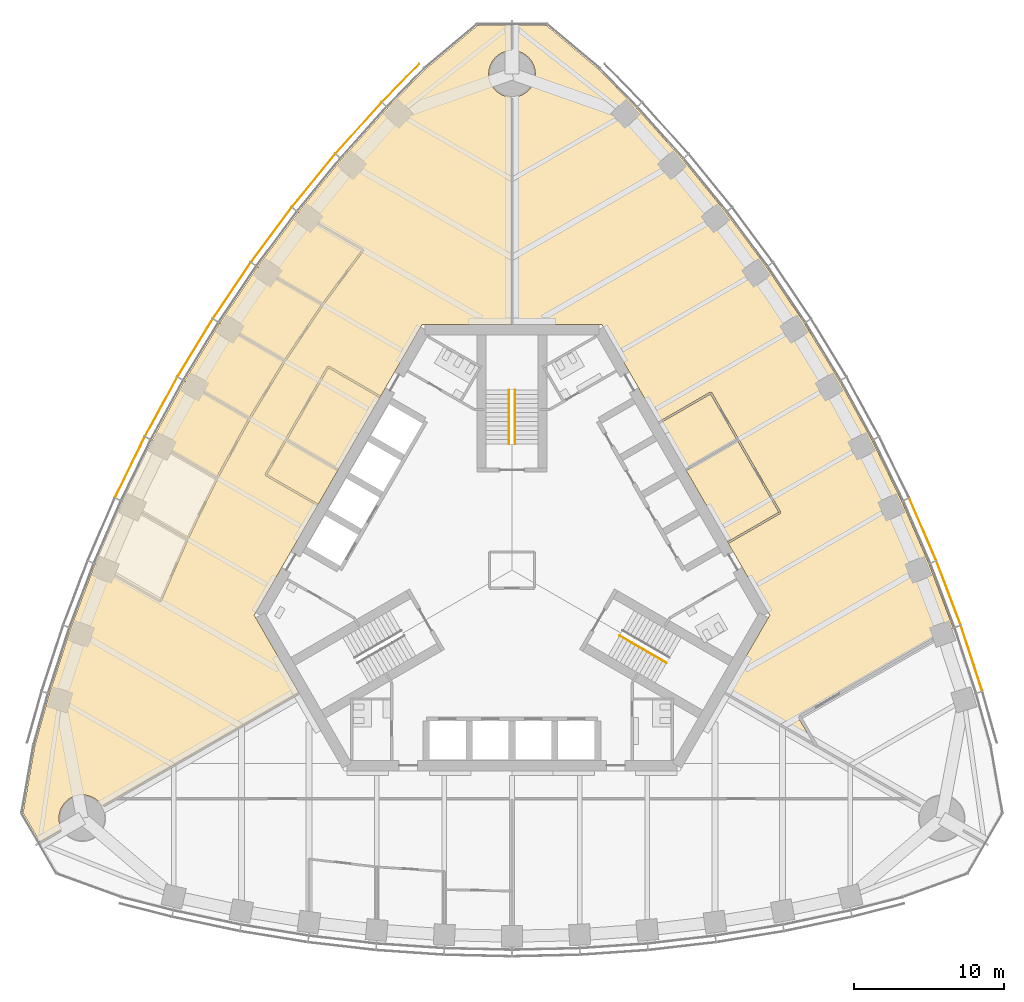
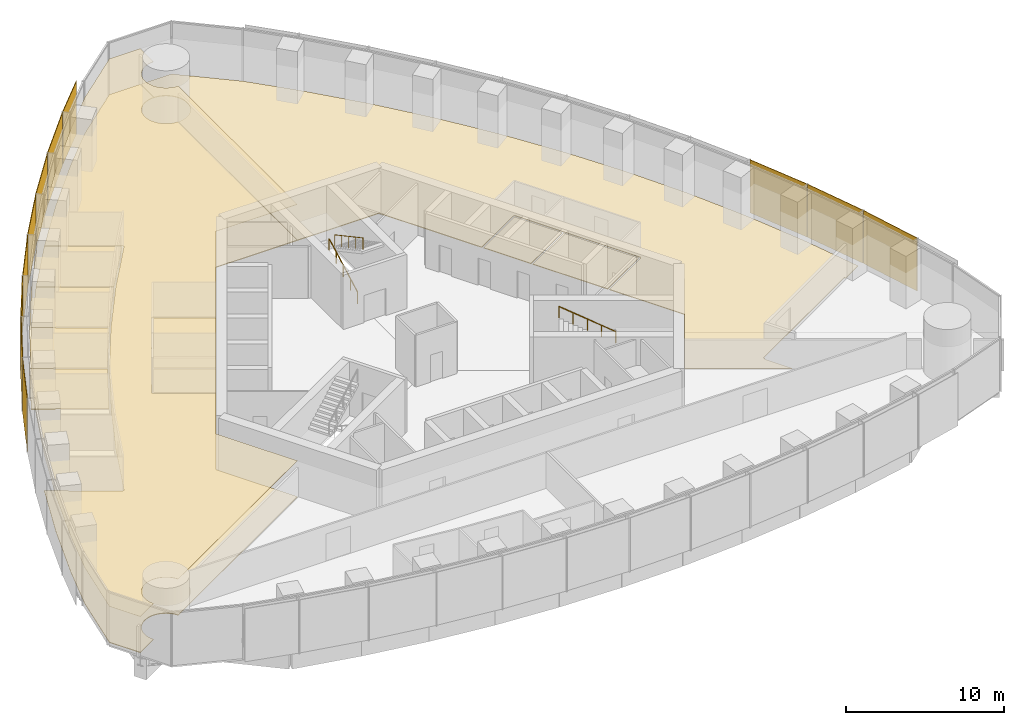
# One storey, part 16 of 19: 11 coverings, 11 shading devices, 3 railings.
"""IFC4 building model written with IfcOpenShell, lengths in metres."""

import ifcopenshell
import ifcopenshell.guid

model = None  # the IFC model being written
_history = None  # IfcOwnerHistory: only IFC2X3 demands one
_inside = {}  # id of a spatial element -> (the spatial element, [elements in it])
_under = {}  # id of a project, library or spatial element -> (it, [spatial elements below it])
_declared = {}  # id of a project -> (the project, [libraries it declares])
_typed = {}  # id of a type object -> (the type object, [elements of that type])
_made_of = {}  # id of a material, layer set ... -> (it, [elements and type objects made of it])


def new_model(schema):
    """Start an empty IFC model of exactly this schema.

    Asked for "IFC4X3", IfcOpenShell would pick the latest addendum, in which some entities
    have other attributes; the version numbers below select the first issue.
    IFC2X3 requires an IfcOwnerHistory on every rooted entity: one is made here for all.
    """
    global model, _history
    if schema == "IFC4X3":
        model = ifcopenshell.file(schema_version=(4, 3, 0, 0))
    else:
        model = ifcopenshell.file(schema=schema)
    _inside.clear()
    _under.clear()
    _declared.clear()
    _typed.clear()
    _made_of.clear()
    _history = None
    if model.schema == "IFC2X3":
        org = make("IfcOrganization", Name="unknown")
        user = make(
            "IfcPersonAndOrganization",
            ThePerson=make("IfcPerson", FamilyName="unknown"),
            TheOrganization=org,
        )
        app = make(
            "IfcApplication",
            ApplicationDeveloper=org,
            Version="unknown",
            ApplicationFullName="unknown",
            ApplicationIdentifier="unknown",
        )
        _history = make(
            "IfcOwnerHistory",
            OwningUser=user,
            OwningApplication=app,
            ChangeAction="ADDED",
            CreationDate=0,
        )
    return model


def make(cls, **values):
    """One entity of the class cls with the attributes given. An attribute that is None is left unset."""
    return model.create_entity(
        cls, **{name: value for name, value in values.items() if value is not None}
    )


def rooted(cls, **values):
    """An entity with a GlobalId (a new one), such as an element, a storey or a relation."""
    return make(cls, GlobalId=ifcopenshell.guid.new(), OwnerHistory=_history, **values)


def si_unit(unit_type, name, prefix=None):
    """IfcSIUnit, for example si_unit("LENGTHUNIT", "METRE", prefix="MILLI")."""
    return make("IfcSIUnit", UnitType=unit_type, Prefix=prefix, Name=name)


def assignment(units):
    """IfcUnitAssignment: the units of a project."""
    return None if units is None else make("IfcUnitAssignment", Units=units)


def point(xyz):
    """IfcCartesianPoint."""
    return None if xyz is None else make("IfcCartesianPoint", Coordinates=xyz)


def direction(xyz):
    """IfcDirection."""
    return None if xyz is None else make("IfcDirection", DirectionRatios=xyz)


def frame(location, z_axis=None, x_axis=None):
    """IfcAxis2Placement3D, a coordinate frame: its origin and axes. An axis left out is left unset."""
    return make(
        "IfcAxis2Placement3D",
        Location=point(location),
        Axis=direction(z_axis),
        RefDirection=direction(x_axis),
    )


def frame_2d(location, x_axis=None):
    """IfcAxis2Placement2D, a coordinate frame in the plane: its origin and x axis."""
    return make(
        "IfcAxis2Placement2D", Location=point(location), RefDirection=direction(x_axis)
    )


def origin():
    """The frame at (0, 0, 0) with its axes left unset."""
    return frame((0.0, 0.0, 0.0))


def origin_2d():
    """The frame at (0, 0) in the plane with its x axis left unset."""
    return frame_2d((0.0, 0.0))


def place(relative_to, where):
    """IfcLocalPlacement: puts the frame where relative to a parent placement (None: the world)."""
    return make(
        "IfcLocalPlacement", PlacementRelTo=relative_to, RelativePlacement=where
    )


def context(
    kind, dimensions, precision=None, world=None, true_north=None, identifier=None
):
    """IfcGeometricRepresentationContext, for example the 3D "Model" context."""
    return make(
        "IfcGeometricRepresentationContext",
        ContextIdentifier=identifier,
        ContextType=kind,
        CoordinateSpaceDimension=dimensions,
        Precision=precision,
        WorldCoordinateSystem=world,
        TrueNorth=true_north,
    )


def subcontext(parent, identifier, kind, view, scale=None):
    """IfcGeometricRepresentationSubContext, for example "Body" below "Model"."""
    return make(
        "IfcGeometricRepresentationSubContext",
        ContextIdentifier=identifier,
        ContextType=kind,
        ParentContext=parent,
        TargetScale=scale,
        TargetView=view,
    )


def project(units=None, contexts=None):
    """IfcProject with its units and contexts."""
    return rooted(
        "IfcProject",
        Name="project",
        RepresentationContexts=contexts,
        UnitsInContext=assignment(units),
    )


def spatial(cls, under=None, at=None, **own):
    """A site, building, storey or space (cls), placed at a placement, below another one or the project."""
    s = rooted(cls, ObjectPlacement=at, **own)
    if under is not None:
        _under.setdefault(under.id(), (under, []))[1].append(s)
    return s


def polyline(points):
    """IfcPolyline through the points."""
    return make("IfcPolyline", Points=[point(p) for p in points])


def profile(cls, at=None, kind="AREA", **sizes):
    """A parametric profile (cls). Its sizes go by their IFC names, for example OverallWidth=200.0."""
    return make(cls, ProfileType=kind, Position=at, **sizes)


def rectangle(**sizes):
    """IfcRectangleProfileDef."""
    return profile("IfcRectangleProfileDef", **sizes)


def circle(**sizes):
    """IfcCircleProfileDef."""
    return profile("IfcCircleProfileDef", **sizes)


def outline(outer, holes=None, kind="AREA"):
    """IfcArbitraryClosedProfileDef: a profile drawn as a closed curve; with holes, ...WithVoids."""
    if holes is None:
        return make("IfcArbitraryClosedProfileDef", ProfileType=kind, OuterCurve=outer)
    return make(
        "IfcArbitraryProfileDefWithVoids",
        ProfileType=kind,
        OuterCurve=outer,
        InnerCurves=holes,
    )


def extrude(swept, where, along, depth):
    """IfcExtrudedAreaSolid: the profile swept, set in the frame where, extruded along a direction by depth."""
    return make(
        "IfcExtrudedAreaSolid",
        SweptArea=swept,
        Position=where,
        ExtrudedDirection=direction(along),
        Depth=depth,
    )


def shape(context_of_items, identifier, shape_type, items):
    """IfcShapeRepresentation: the items that make up one representation, for example the "Body"."""
    return make(
        "IfcShapeRepresentation",
        ContextOfItems=context_of_items,
        RepresentationIdentifier=identifier,
        RepresentationType=shape_type,
        Items=items,
    )


def material(Name=None, Category=None):
    """IfcMaterial."""
    return make("IfcMaterial", Name=Name, Category=Category)


def layer(
    of_material, thickness, ventilated=None, Name=None, Category=None, Priority=None
):
    """IfcMaterialLayer: one layer of a wall or slab, of a material (None: an air gap)."""
    return make(
        "IfcMaterialLayer",
        Material=of_material,
        LayerThickness=thickness,
        IsVentilated=ventilated,
        Name=Name,
        Category=Category,
        Priority=Priority,
    )


def layer_set(layers, Name=None):
    """IfcMaterialLayerSet."""
    return make("IfcMaterialLayerSet", MaterialLayers=layers, LayerSetName=Name)


def made_of(thing, what):
    """Note that an element or type object is made of a material, layer set ...; save() writes the relation."""
    if what is not None:
        _made_of.setdefault(what.id(), (what, []))[1].append(thing)
    return thing


def type_object(cls, material=None, **own):
    """A type object (cls), such as IfcWallType, which elements share."""
    return made_of(rooted(cls, **own), material)


def element(
    cls,
    number,
    at=None,
    inside=None,
    cuts=None,
    type_object=None,
    material=None,
    context=None,
    identifier="Body",
    shape_type=None,
    held_by="IfcProductDefinitionShape",
    body=None,
    shapes=None,
    **own,
):
    """One element of the class cls, such as IfcWall. Its Tag is "e" and its number.

    at: its placement. inside: the storey or other place that contains it. cuts: it is an
    opening in that element (IfcRelVoidsElement). A single representation is given by context,
    identifier, shape_type and body (its items); several are given by shapes. held_by: the class
    of the entity that holds the representations. save() writes the other relations.
    """
    e = rooted(cls, Tag="e%d" % number, ObjectPlacement=at, **own)
    if body is not None:
        shapes = [shape(context, identifier, shape_type, body)]
    if shapes is not None:
        e.Representation = make(held_by, Representations=shapes)
    if inside is not None:
        _inside.setdefault(inside.id(), (inside, []))[1].append(e)
    if cuts is not None:
        rooted(
            "IfcRelVoidsElement", RelatingBuildingElement=cuts, RelatedOpeningElement=e
        )
    if type_object is not None:
        _typed.setdefault(type_object.id(), (type_object, []))[1].append(e)
    return made_of(e, material)


def aggregate(whole, parts):
    """IfcRelAggregates: a whole, such as a stair, and the parts it consists of."""
    return rooted("IfcRelAggregates", RelatingObject=whole, RelatedObjects=parts)


def save(model, path):
    """Write the relations noted so far, then the file.

    IfcRelAggregates (storeys below a building ...), IfcRelContainedInSpatialStructure (elements
    in a storey), IfcRelDefinesByType, IfcRelAssociatesMaterial and IfcRelDeclares: one each for
    every whole, place, type object, material and project.
    """
    for whole, parts in _under.values():
        aggregate(whole, parts)
    for where, things in _inside.values():
        rooted(
            "IfcRelContainedInSpatialStructure",
            RelatedElements=things,
            RelatingStructure=where,
        )
    for kind, things in _typed.values():
        rooted("IfcRelDefinesByType", RelatedObjects=things, RelatingType=kind)
    for what, things in _made_of.values():
        rooted("IfcRelAssociatesMaterial", RelatedObjects=things, RelatingMaterial=what)
    for by, libraries in _declared.values():
        rooted("IfcRelDeclares", RelatingContext=by, RelatedDefinitions=libraries)
    model.write(path)


model = new_model("IFC4")

# Units and contexts
model_context = context("Model", 3, precision=1e-05, world=origin(), true_north=direction((0.0, 1.0)))
body_context = subcontext(model_context, "Body", "Model", "MODEL_VIEW")
ifc_project = project(units=[si_unit("LENGTHUNIT", "METRE"), si_unit("AREAUNIT", "SQUARE_METRE"), si_unit("VOLUMEUNIT", "CUBIC_METRE"), si_unit("PLANEANGLEUNIT", "RADIAN"), si_unit("MASSUNIT", "GRAM", prefix="KILO")], contexts=[model_context])

# Site, building, storey
site_placement = place(None, origin())
site = spatial("IfcSite", under=ifc_project, at=site_placement, CompositionType="ELEMENT")
building_placement = place(site_placement, origin())
building = spatial("IfcBuilding", under=site, at=building_placement, Name="Trefoil Bronze Tower", CompositionType="ELEMENT")
storey_placement = place(building_placement, frame((0.0, 0.0, 244.300048828125)))
storey = spatial("IfcBuildingStorey", under=building, at=storey_placement, Name="L56", CompositionType="ELEMENT", Elevation=244.300048828125)

# Shading devices
ifc_material_1 = material(Name="Perforated bronze sheet", Category="bronze")
ifc_layer_1 = layer(ifc_material_1, 0.0400390625)
ifc_layer_set_1 = layer_set([ifc_layer_1], Name="Bronze solar screen panel")
shading_device_type = type_object("IfcShadingDeviceType", Name="Bronze solar screen panel", PredefinedType="SHUTTER", material=ifc_layer_set_1)
shading_device_1_placement = place(storey_placement, frame((30.5634765625, -5.86572265625, 0.0498046875), z_axis=(0.0, 0.0, 1.0), x_axis=(-0.310148591821, 0.950688093431, 0.0)))
element("IfcShadingDevice", 1, at=shading_device_1_placement, inside=storey, type_object=shading_device_type, Name="Solar screen CW-A L56 F2 bay 2", PredefinedType="SHUTTER", context=body_context, shape_type="SweptSolid", body=[
    extrude(rectangle(XDim=4.5693359375, YDim=0.0400390625, at=origin_2d()), origin(), (0.0, 0.0, 1.0), 4.10009765625),
])
shading_device_2_placement = place(storey_placement, frame((29.0341796875, -1.52392578125, 0.0498046875), z_axis=(0.0, 0.0, 1.0), x_axis=(-0.354233936517, 0.935156841508, 0.0)))
element("IfcShadingDevice", 2, at=shading_device_2_placement, inside=storey, type_object=shading_device_type, Name="Solar screen CW-A L56 F2 bay 3", PredefinedType="SHUTTER", context=body_context, shape_type="SweptSolid", body=[
    extrude(rectangle(XDim=4.529296875, YDim=0.0400390625, at=origin_2d()), origin(), (0.0, 0.0, 1.0), 4.10009765625),
])
shading_device_3_placement = place(storey_placement, frame((27.317626953125, 2.709716796875, 0.0498046875), z_axis=(0.0, 0.0, 1.0), x_axis=(-0.397220305764, 0.917723285467, 0.0)))
element("IfcShadingDevice", 3, at=shading_device_3_placement, inside=storey, type_object=shading_device_type, Name="Solar screen CW-A L56 F2 bay 4", PredefinedType="SHUTTER", context=body_context, shape_type="SweptSolid", body=[
    extrude(rectangle(XDim=4.5, YDim=0.0400390625, at=origin_2d()), origin(), (0.0, 0.0, 1.0), 4.10009765625),
])
shading_device_4_placement = place(storey_placement, frame((-7.40478515625, 32.40380859375, 0.0498046875), z_axis=(0.0, 0.0, 1.0), x_axis=(-0.698651812425, -0.715461840349, 0.0)))
element("IfcShadingDevice", 4, at=shading_device_4_placement, inside=storey, type_object=shading_device_type, Name="Solar screen CW-A L56 F3 bay 1", PredefinedType="SHUTTER", context=body_context, shape_type="SweptSolid", body=[
    extrude(rectangle(XDim=3.53369140625, YDim=0.0400390625, at=origin_2d()), origin(), (0.0, 0.0, 1.0), 4.10009765625),
])
shading_device_5_placement = place(storey_placement, frame((-10.20166015625, 29.401611328125, 0.0498046875), z_axis=(0.0, 0.0, 1.0), x_axis=(-0.668245744076, -0.743940606181, 0.0)))
element("IfcShadingDevice", 5, at=shading_device_5_placement, inside=storey, type_object=shading_device_type, Name="Solar screen CW-A L56 F3 bay 2", PredefinedType="SHUTTER", context=body_context, shape_type="SweptSolid", body=[
    extrude(rectangle(XDim=4.5693359375, YDim=0.0400390625, at=origin_2d()), origin(), (0.0, 0.0, 1.0), 4.10009765625),
])
shading_device_6_placement = place(storey_placement, frame((-13.197509765625, 25.90625, 0.0498046875), z_axis=(0.0, 0.0, 1.0), x_axis=(-0.63275261301, -0.774354008661, 0.0)))
element("IfcShadingDevice", 6, at=shading_device_6_placement, inside=storey, type_object=shading_device_type, Name="Solar screen CW-A L56 F3 bay 3", PredefinedType="SHUTTER", context=body_context, shape_type="SweptSolid", body=[
    extrude(rectangle(XDim=4.529296875, YDim=0.0400390625, at=origin_2d()), origin(), (0.0, 0.0, 1.0), 4.10009765625),
])
shading_device_7_placement = place(storey_placement, frame((-16.005615234375, 22.302734375, 0.0498046875), z_axis=(0.0, 0.0, 1.0), x_axis=(-0.596161525977, -0.802864518425, 0.0)))
element("IfcShadingDevice", 7, at=shading_device_7_placement, inside=storey, type_object=shading_device_type, Name="Solar screen CW-A L56 F3 bay 4", PredefinedType="SHUTTER", context=body_context, shape_type="SweptSolid", body=[
    extrude(rectangle(XDim=4.5, YDim=0.0400390625, at=origin_2d()), origin(), (0.0, 0.0, 1.0), 4.10009765625),
])
shading_device_8_placement = place(storey_placement, frame((-18.6298828125, 18.59326171875, 0.0498046875), z_axis=(0.0, 0.0, 1.0), x_axis=(-0.558493494706, -0.829508900718, 0.0)))
element("IfcShadingDevice", 8, at=shading_device_8_placement, inside=storey, type_object=shading_device_type, Name="Solar screen CW-A L56 F3 bay 5", PredefinedType="SHUTTER", context=body_context, shape_type="SweptSolid", body=[
    extrude(rectangle(XDim=4.480712890625, YDim=0.0400390625, at=origin_2d()), origin(), (0.0, 0.0, 1.0), 4.10009765625),
])
for number, where, z_axis, x_axis, name in (
    (9, (-21.07275390625, 14.77880859375, 0.0498046875), (0.0, 0.0, 1.0), (-0.519762112739, -0.854311035959, 0.0), "Solar screen CW-A L56 F3 bay 6"),
    (10, (-23.3349609375, 10.860107421875, 0.0498046875), (0.0, 0.0, 1.0), (-0.479974003504, -0.877282711536, 0.0), "Solar screen CW-A L56 F3 bay 7"),
):
    element("IfcShadingDevice", number, at=place(storey_placement, frame(where, z_axis=z_axis, x_axis=x_axis)), inside=storey, type_object=shading_device_type, Name=name, PredefinedType="SHUTTER", context=body_context, shape_type="SweptSolid", body=[
        extrude(rectangle(XDim=4.47119140625, YDim=0.0400390625, at=origin_2d()), origin(), (0.0, 0.0, 1.0), 4.10009765625),
    ])
shading_device_9_placement = place(storey_placement, frame((-25.4169921875, 6.83740234375, 0.0498046875), z_axis=(0.0, 0.0, 1.0), x_axis=(-0.439129033334, -0.898424004623, 0.0)))
element("IfcShadingDevice", 11, at=shading_device_9_placement, inside=storey, type_object=shading_device_type, Name="Solar screen CW-A L56 F3 bay 8", PredefinedType="SHUTTER", context=body_context, shape_type="SweptSolid", body=[
    extrude(rectangle(XDim=4.480712890625, YDim=0.0400390625, at=origin_2d()), origin(), (0.0, 0.0, 1.0), 4.10009765625),
])

# Railings
ifc_material_2 = material(Name="Steel handrail", Category="steel")
railing_type = type_object("IfcRailingType", Name="Handrail 900", PredefinedType="HANDRAIL", material=ifc_material_2)
railing_1_placement = place(storey_placement, frame((10.28369140625, -6.168212890625, 2.261474609375)))
element("IfcRailing", 12, at=railing_1_placement, inside=storey, type_object=railing_type, Name="Handrail ST1 flight 2 L56", PredefinedType="HANDRAIL", context=body_context, shape_type="SweptSolid", body=[
    extrude(circle(Radius=0.02392578125, at=origin_2d()), frame((0.0, 0.0, 0.8759765625), z_axis=(-0.76250339821, 0.440245697338, 0.474101564745), x_axis=(-0.500012057535, -0.866018442252, 0.0)), (0.0, 0.0, 1.0), 4.088623046875),
    extrude(circle(Radius=0.02099609375, at=origin_2d()), origin(), (0.0, 0.0, 1.0), 0.851806640625),
    extrude(circle(Radius=0.02099609375, at=origin_2d()), frame((-0.779296875, 0.449951171875, 0.484619140625)), (0.0, 0.0, 1.0), 0.851806640625),
    extrude(circle(Radius=0.02099609375, at=origin_2d()), frame((-1.558837890625, 0.89990234375, 0.96923828125)), (0.0, 0.0, 1.0), 0.851806640625),
    extrude(circle(Radius=0.02099609375, at=origin_2d()), frame((-2.33837890625, 1.35009765625, 1.453857421875)), (0.0, 0.0, 1.0), 0.851806640625),
    extrude(circle(Radius=0.02099609375, at=origin_2d()), frame((-3.11767578125, 1.800048828125, 1.9384765625)), (0.0, 0.0, 1.0), 0.851806640625),
])
railing_2_placement = place(storey_placement, frame((-0.199951171875, 8.389892578125, 0.161376953125)))
element("IfcRailing", 13, at=railing_2_placement, inside=storey, type_object=railing_type, Name="Handrail ST2 flight 1 L56", PredefinedType="HANDRAIL", context=body_context, shape_type="SweptSolid", body=[
    extrude(circle(Radius=0.02392578125, at=origin_2d()), frame((0.0, 0.0, 0.8759765625), z_axis=(0.0, 0.880474934443, 0.474092701714), x_axis=(-1.0, 0.0, 0.0)), (0.0, 0.0, 1.0), 4.0888671875),
    extrude(circle(Radius=0.02099609375, at=origin_2d()), origin(), (0.0, 0.0, 1.0), 0.851806640625),
    extrude(circle(Radius=0.02099609375, at=origin_2d()), frame((0.0, 0.89990234375, 0.484619140625)), (0.0, 0.0, 1.0), 0.851806640625),
    extrude(circle(Radius=0.02099609375, at=origin_2d()), frame((0.0, 1.800048828125, 0.96923828125)), (0.0, 0.0, 1.0), 0.851806640625),
    extrude(circle(Radius=0.02099609375, at=origin_2d()), frame((0.0, 2.7001953125, 1.453857421875)), (0.0, 0.0, 1.0), 0.851806640625),
    extrude(circle(Radius=0.02099609375, at=origin_2d()), frame((0.0, 3.60009765625, 1.9384765625)), (0.0, 0.0, 1.0), 0.851806640625),
])
railing_3_placement = place(storey_placement, frame((0.199951171875, 11.989990234375, 2.261474609375)))
element("IfcRailing", 14, at=railing_3_placement, inside=storey, type_object=railing_type, Name="Handrail ST2 flight 2 L56", PredefinedType="HANDRAIL", context=body_context, shape_type="SweptSolid", body=[
    extrude(circle(Radius=0.02392578125, at=origin_2d()), frame((0.0, 0.0, 0.8759765625), z_axis=(0.0, -0.880474934443, 0.474092701714), x_axis=(1.0, 0.0, 0.0)), (0.0, 0.0, 1.0), 4.0888671875),
    extrude(circle(Radius=0.02099609375, at=origin_2d()), origin(), (0.0, 0.0, 1.0), 0.851806640625),
    extrude(circle(Radius=0.02099609375, at=origin_2d()), frame((0.0, -0.89990234375, 0.484619140625)), (0.0, 0.0, 1.0), 0.851806640625),
    extrude(circle(Radius=0.02099609375, at=origin_2d()), frame((0.0, -1.800048828125, 0.96923828125)), (0.0, 0.0, 1.0), 0.851806640625),
    extrude(circle(Radius=0.02099609375, at=origin_2d()), frame((0.0, -2.7001953125, 1.453857421875)), (0.0, 0.0, 1.0), 0.851806640625),
    extrude(circle(Radius=0.02099609375, at=origin_2d()), frame((0.0, -3.60009765625, 1.9384765625)), (0.0, 0.0, 1.0), 0.851806640625),
])

# Coverings
ifc_material_3 = material(Name="Acoustic ceiling panels", Category="mineral fibre")
ifc_layer_2 = layer(ifc_material_3, 0.02001953125)
ifc_layer_set_2 = layer_set([ifc_layer_2], Name="Office ceiling 20")
covering_type_1 = type_object("IfcCoveringType", Name="Office ceiling 20", PredefinedType="CEILING", material=ifc_layer_set_2)
covering_1_placement = place(storey_placement, frame((0.0, 0.0, 2.89990234375)))
element("IfcCovering", 15, at=covering_1_placement, inside=storey, type_object=covering_type_1, Name="Ceiling L56 Open-plan office F3", PredefinedType="CEILING", context=body_context, shape_type="SweptSolid", body=[
    extrude(outline(polyline([(-30.76318359375, -8.219482421875), (-29.3369140625, -3.846923828125), (-27.7216796875, 0.416748046875), (-25.92236328125, 4.573974609375), (-23.94140625, 8.62646484375), (-21.781005859375, 12.5751953125), (-19.44140625, 16.420654296875), (-16.92236328125, 20.162353515625), (-14.2216796875, 23.79931640625), (-11.3369140625, 27.329833984375), (-8.26318359375, 30.751708984375), (-5.7734375, 33.30126953125), (-2.280029296875, 36.232666015625), (-0.013671875, 36.232666015625), (-0.012939453125, 34.5498046875), (-0.076171875, 34.548095703125), (-0.15185546875, 34.54248046875), (-0.227294921875, 34.533203125), (-0.302490234375, 34.520263671875), (-0.376708984375, 34.50341796875), (-0.449951171875, 34.4833984375), (-0.522216796875, 34.45947265625), (-0.59326171875, 34.431884765625), (-0.66259765625, 34.401123046875), (-0.730712890625, 34.366943359375), (-0.796875, 34.32958984375), (-0.861083984375, 34.288818359375), (-0.92333984375, 34.2451171875), (-0.9833984375, 34.1982421875), (-1.041015625, 34.1484375), (-1.095947265625, 34.095947265625), (-1.1484375, 34.041015625), (-1.1982421875, 33.9833984375), (-1.2451171875, 33.92333984375), (-1.288818359375, 33.861083984375), (-1.32958984375, 33.796875), (-1.366943359375, 33.730712890625), (-1.401123046875, 33.66259765625), (-1.431884765625, 33.59326171875), (-1.45947265625, 33.522216796875), (-1.4833984375, 33.449951171875), (-1.50341796875, 33.376708984375), (-1.520263671875, 33.302490234375), (-1.533203125, 33.227294921875), (-1.54248046875, 33.15185546875), (-1.548095703125, 33.076171875), (-1.550048828125, 33.0), (-1.548095703125, 32.923828125), (-1.54248046875, 32.84814453125), (-1.533203125, 32.772705078125), (-1.520263671875, 32.697509765625), (-1.50341796875, 32.623291015625), (-1.4833984375, 32.550048828125), (-1.45947265625, 32.477783203125), (-1.431884765625, 32.40673828125), (-1.401123046875, 32.33740234375), (-1.366943359375, 32.269287109375), (-1.32958984375, 32.203125), (-1.288818359375, 32.138916015625), (-1.2451171875, 32.07666015625), (-1.1982421875, 32.0166015625), (-1.1484375, 31.958984375), (-1.095947265625, 31.904052734375), (-1.041015625, 31.8515625), (-0.9833984375, 31.8017578125), (-0.92333984375, 31.7548828125), (-0.861083984375, 31.711181640625), (-0.796875, 31.67041015625), (-0.730712890625, 31.633056640625), (-0.66259765625, 31.598876953125), (-0.59326171875, 31.568115234375), (-0.522216796875, 31.54052734375), (-0.449951171875, 31.5166015625), (-0.376708984375, 31.49658203125), (-0.302490234375, 31.479736328125), (-0.227294921875, 31.466796875), (-0.15185546875, 31.45751953125), (-0.076171875, 31.451904296875), (-0.01171875, 31.4501953125), (-0.006103515625, 16.35009765625), (-5.9755859375, 16.35009765625), (-17.147216796875, -3.0), (-14.16259765625, -8.169677734375), (-27.24267578125, -15.71484375), (-27.2900390625, -15.638916015625), (-27.333984375, -15.57666015625), (-27.380615234375, -15.5166015625), (-27.430419921875, -15.458984375), (-27.48291015625, -15.404052734375), (-27.537841796875, -15.3515625), (-27.595458984375, -15.3017578125), (-27.655517578125, -15.2548828125), (-27.7177734375, -15.211181640625), (-27.781982421875, -15.17041015625), (-27.84814453125, -15.133056640625), (-27.916015625, -15.098876953125), (-27.985595703125, -15.068115234375), (-28.056640625, -15.04052734375), (-28.12890625, -15.0166015625), (-28.2021484375, -14.99658203125), (-28.2763671875, -14.979736328125), (-28.351318359375, -14.966796875), (-28.427001953125, -14.95751953125), (-28.502685546875, -14.951904296875), (-28.578857421875, -14.949951171875), (-28.65478515625, -14.951904296875), (-28.730712890625, -14.95751953125), (-28.806396484375, -14.966796875), (-28.881103515625, -14.979736328125), (-28.95556640625, -14.99658203125), (-29.02880859375, -15.0166015625), (-29.10107421875, -15.04052734375), (-29.172119140625, -15.068115234375), (-29.241455078125, -15.098876953125), (-29.3095703125, -15.133056640625), (-29.375732421875, -15.17041015625), (-29.43994140625, -15.211181640625), (-29.502197265625, -15.2548828125), (-29.56201171875, -15.3017578125), (-29.619873046875, -15.3515625), (-29.6748046875, -15.404052734375), (-29.727294921875, -15.458984375), (-29.777099609375, -15.5166015625), (-29.82373046875, -15.57666015625), (-29.86767578125, -15.638916015625), (-29.908203125, -15.703125), (-29.94580078125, -15.769287109375), (-29.97998046875, -15.83740234375), (-30.010986328125, -15.90673828125), (-30.0380859375, -15.977783203125), (-30.06201171875, -16.050048828125), (-30.08251953125, -16.123291015625), (-30.09912109375, -16.197509765625), (-30.112060546875, -16.272705078125), (-30.121337890625, -16.34814453125), (-30.126953125, -16.423828125), (-30.12890625, -16.5), (-30.126953125, -16.576171875), (-30.121337890625, -16.65185546875), (-30.112060546875, -16.727294921875), (-30.09912109375, -16.802490234375), (-30.08251953125, -16.876708984375), (-30.06201171875, -16.949951171875), (-30.0380859375, -17.022216796875), (-30.010986328125, -17.09326171875), (-29.97998046875, -17.16259765625), (-29.94580078125, -17.230712890625), (-29.92724609375, -17.263427734375), (-31.385009765625, -18.1044921875), (-32.518310546875, -16.1416015625), (-31.7265625, -11.650634765625), (-30.76318359375, -8.219482421875)])), origin(), (0.0, 0.0, 1.0), 0.02001953125),
])
ifc_material_4 = material(Name="Raised access floor panels", Category="steel")
ifc_layer_3 = layer(ifc_material_4, 0.050048828125)
ifc_layer_set_3 = layer_set([ifc_layer_3], Name="Raised access floor 150")
covering_type_2 = type_object("IfcCoveringType", Name="Raised access floor 150", PredefinedType="FLOORING", material=ifc_layer_set_3)
covering_2_placement = place(storey_placement, frame((0.0, 0.0, 0.099853515625)))
element("IfcCovering", 16, at=covering_2_placement, inside=storey, type_object=covering_type_2, Name="Raised floor L56 Meeting room F2", PredefinedType="FLOORING", context=body_context, shape_type="SweptSolid", body=[
    extrude(outline(polyline([(11.59130859375, 6.623046875), (15.003662109375, 8.593017578125), (17.74365234375, 3.84716796875), (14.331298828125, 1.877197265625), (11.59130859375, 6.623046875)])), origin(), (0.0, 0.0, 1.0), 0.050048828125),
])
covering_3_placement = place(storey_placement, frame((0.0, 0.0, 0.099853515625)))
element("IfcCovering", 17, at=covering_3_placement, inside=storey, type_object=covering_type_2, Name="Raised floor L56 Meeting room F2", PredefinedType="FLOORING", context=body_context, shape_type="SweptSolid", body=[
    extrude(outline(polyline([(9.79150390625, 9.74072265625), (13.20361328125, 11.710693359375), (14.943603515625, 8.697021484375), (11.531494140625, 6.72705078125), (9.79150390625, 9.74072265625)])), origin(), (0.0, 0.0, 1.0), 0.050048828125),
])
covering_4_placement = place(storey_placement, frame((0.0, 0.0, 0.099853515625)))
element("IfcCovering", 18, at=covering_4_placement, inside=storey, type_object=covering_type_2, Name="Raised floor L56 Open-plan office F2", PredefinedType="FLOORING", context=body_context, shape_type="SweptSolid", body=[
    extrude(outline(polyline([(27.7216796875, 0.416748046875), (29.3369140625, -3.846923828125), (27.989013671875, -4.625244140625), (27.93896484375, -4.53857421875), (19.07373046875, -9.656982421875), (19.123779296875, -9.743408203125), (19.037109375, -9.79345703125), (20.06591796875, -11.574951171875), (14.16259765625, -8.169677734375), (17.147216796875, -3.0), (14.391357421875, 1.773193359375), (17.85546875, 3.773193359375), (17.825439453125, 3.8251953125), (17.87744140625, 3.855224609375), (13.277587890625, 11.82275390625), (13.2255859375, 11.792724609375), (13.195556640625, 11.8447265625), (9.7314453125, 9.8447265625), (5.9755859375, 16.35009765625), (0.006103515625, 16.35009765625), (0.01171875, 31.4501953125), (0.076171875, 31.451904296875), (0.15185546875, 31.45751953125), (0.227294921875, 31.466796875), (0.302490234375, 31.479736328125), (0.376708984375, 31.49658203125), (0.449951171875, 31.5166015625), (0.522216796875, 31.54052734375), (0.59326171875, 31.568115234375), (0.66259765625, 31.598876953125), (0.730712890625, 31.633056640625), (0.796875, 31.67041015625), (0.861083984375, 31.711181640625), (0.92333984375, 31.7548828125), (0.9833984375, 31.8017578125), (1.041015625, 31.8515625), (1.095947265625, 31.904052734375), (1.1484375, 31.958984375), (1.1982421875, 32.0166015625), (1.2451171875, 32.07666015625), (1.288818359375, 32.138916015625), (1.32958984375, 32.203125), (1.366943359375, 32.269287109375), (1.401123046875, 32.33740234375), (1.431884765625, 32.40673828125), (1.45947265625, 32.477783203125), (1.4833984375, 32.550048828125), (1.50341796875, 32.623291015625), (1.520263671875, 32.697509765625), (1.533203125, 32.772705078125), (1.54248046875, 32.84814453125), (1.548095703125, 32.923828125), (1.550048828125, 33.0), (1.548095703125, 33.076171875), (1.54248046875, 33.15185546875), (1.533203125, 33.227294921875), (1.520263671875, 33.302490234375), (1.50341796875, 33.376708984375), (1.4833984375, 33.449951171875), (1.45947265625, 33.522216796875), (1.431884765625, 33.59326171875), (1.401123046875, 33.66259765625), (1.366943359375, 33.730712890625), (1.32958984375, 33.796875), (1.288818359375, 33.861083984375), (1.2451171875, 33.92333984375), (1.1982421875, 33.9833984375), (1.1484375, 34.041015625), (1.095947265625, 34.095947265625), (1.041015625, 34.1484375), (0.9833984375, 34.1982421875), (0.92333984375, 34.2451171875), (0.861083984375, 34.288818359375), (0.796875, 34.32958984375), (0.730712890625, 34.366943359375), (0.66259765625, 34.401123046875), (0.59326171875, 34.431884765625), (0.522216796875, 34.45947265625), (0.449951171875, 34.4833984375), (0.376708984375, 34.50341796875), (0.302490234375, 34.520263671875), (0.227294921875, 34.533203125), (0.15185546875, 34.54248046875), (0.076171875, 34.548095703125), (0.012939453125, 34.5498046875), (0.013671875, 36.232666015625), (2.280029296875, 36.232666015625), (5.7734375, 33.30126953125), (8.26318359375, 30.751708984375), (11.3369140625, 27.329833984375), (14.2216796875, 23.79931640625), (16.92236328125, 20.162353515625), (19.44140625, 16.420654296875), (21.781005859375, 12.5751953125), (23.94140625, 8.62646484375), (25.92236328125, 4.573974609375), (27.7216796875, 0.416748046875)])), origin(), (0.0, 0.0, 1.0), 0.050048828125),
])
covering_5_placement = place(storey_placement, frame((0.0, 0.0, 0.099853515625)))
element("IfcCovering", 19, at=covering_5_placement, inside=storey, type_object=covering_type_2, Name="Raised floor L56 Meeting room F3", PredefinedType="FLOORING", context=body_context, shape_type="SweptSolid", body=[
    extrude(outline(polyline([(-11.531494140625, 6.72705078125), (-14.943603515625, 8.697021484375), (-12.20361328125, 13.44287109375), (-8.79150390625, 11.472900390625), (-11.531494140625, 6.72705078125)])), origin(), (0.0, 0.0, 1.0), 0.050048828125),
])
covering_6_placement = place(storey_placement, frame((0.0, 0.0, 0.099853515625)))
element("IfcCovering", 20, at=covering_6_placement, inside=storey, type_object=covering_type_2, Name="Raised floor L56 Pantry F3", PredefinedType="FLOORING", context=body_context, shape_type="SweptSolid", body=[
    extrude(outline(polyline([(-12.88134765625, 4.388671875), (-16.293701171875, 6.358642578125), (-15.003662109375, 8.593017578125), (-11.59130859375, 6.623046875), (-12.88134765625, 4.388671875)])), origin(), (0.0, 0.0, 1.0), 0.050048828125),
])
covering_7_placement = place(storey_placement, frame((0.0, 0.0, 0.099853515625)))
element("IfcCovering", 21, at=covering_7_placement, inside=storey, type_object=covering_type_2, Name="Raised floor L56 Office F3", PredefinedType="FLOORING", context=body_context, shape_type="SweptSolid", body=[
    extrude(outline(polyline([(-14.2216796875, 23.79931640625), (-12.884033203125, 23.027099609375), (-12.9140625, 22.97509765625), (-9.97998046875, 21.281005859375), (-12.6083984375, 17.7412109375), (-15.561767578125, 19.446044921875), (-15.591796875, 19.394287109375), (-16.92236328125, 20.162353515625), (-14.2216796875, 23.79931640625)])), origin(), (0.0, 0.0, 1.0), 0.050048828125),
])
covering_8_placement = place(storey_placement, frame((0.0, 0.0, 0.099853515625)))
element("IfcCovering", 22, at=covering_8_placement, inside=storey, type_object=covering_type_2, Name="Raised floor L56 Office F3", PredefinedType="FLOORING", context=body_context, shape_type="SweptSolid", body=[
    extrude(outline(polyline([(-16.92236328125, 20.162353515625), (-15.591796875, 19.394287109375), (-15.62158203125, 19.34228515625), (-12.677978515625, 17.642578125), (-15.1298828125, 14.000732421875), (-18.085205078125, 15.706787109375), (-18.114990234375, 15.65478515625), (-19.44140625, 16.420654296875), (-16.92236328125, 20.162353515625)])), origin(), (0.0, 0.0, 1.0), 0.050048828125),
])
covering_9_placement = place(storey_placement, frame((0.0, 0.0, 0.099853515625)))
element("IfcCovering", 23, at=covering_9_placement, inside=storey, type_object=covering_type_2, Name="Raised floor L56 Office F3", PredefinedType="FLOORING", context=body_context, shape_type="SweptSolid", body=[
    extrude(outline(polyline([(-21.781005859375, 12.5751953125), (-19.44140625, 16.420654296875), (-18.114990234375, 15.65478515625), (-18.14501953125, 15.60302734375), (-15.194580078125, 13.8994140625), (-17.4716796875, 10.156494140625), (-20.426025390625, 11.8623046875), (-20.4560546875, 11.810302734375), (-21.781005859375, 12.5751953125)])), origin(), (0.0, 0.0, 1.0), 0.050048828125),
])
covering_10_placement = place(storey_placement, frame((0.0, 0.0, 0.099853515625)))
element("IfcCovering", 24, at=covering_10_placement, inside=storey, type_object=covering_type_2, Name="Raised floor L56 Office F3", PredefinedType="FLOORING", context=body_context, shape_type="SweptSolid", body=[
    extrude(outline(polyline([(-23.94140625, 8.62646484375), (-21.781005859375, 12.5751953125), (-20.4560546875, 11.810302734375), (-20.486083984375, 11.75830078125), (-17.53173828125, 10.052734375), (-19.634521484375, 6.209228515625), (-22.585205078125, 7.91259765625), (-22.614990234375, 7.860595703125), (-23.94140625, 8.62646484375)])), origin(), (0.0, 0.0, 1.0), 0.050048828125),
])
covering_11_placement = place(storey_placement, frame((0.0, 0.0, 0.099853515625)))
element("IfcCovering", 25, at=covering_11_placement, inside=storey, type_object=covering_type_2, Name="Raised floor L56 Open-plan office F3", PredefinedType="FLOORING", context=body_context, shape_type="SweptSolid", body=[
    extrude(outline(polyline([(-14.2216796875, 23.79931640625), (-11.3369140625, 27.329833984375), (-8.26318359375, 30.751708984375), (-5.7734375, 33.30126953125), (-2.280029296875, 36.232666015625), (-0.013671875, 36.232666015625), (-0.012939453125, 34.5498046875), (-0.076171875, 34.548095703125), (-0.15185546875, 34.54248046875), (-0.227294921875, 34.533203125), (-0.302490234375, 34.520263671875), (-0.376708984375, 34.50341796875), (-0.449951171875, 34.4833984375), (-0.522216796875, 34.45947265625), (-0.59326171875, 34.431884765625), (-0.66259765625, 34.401123046875), (-0.730712890625, 34.366943359375), (-0.796875, 34.32958984375), (-0.861083984375, 34.288818359375), (-0.92333984375, 34.2451171875), (-0.9833984375, 34.1982421875), (-1.041015625, 34.1484375), (-1.095947265625, 34.095947265625), (-1.1484375, 34.041015625), (-1.1982421875, 33.9833984375), (-1.2451171875, 33.92333984375), (-1.288818359375, 33.861083984375), (-1.32958984375, 33.796875), (-1.366943359375, 33.730712890625), (-1.401123046875, 33.66259765625), (-1.431884765625, 33.59326171875), (-1.45947265625, 33.522216796875), (-1.4833984375, 33.449951171875), (-1.50341796875, 33.376708984375), (-1.520263671875, 33.302490234375), (-1.533203125, 33.227294921875), (-1.54248046875, 33.15185546875), (-1.548095703125, 33.076171875), (-1.550048828125, 33.0), (-1.548095703125, 32.923828125), (-1.54248046875, 32.84814453125), (-1.533203125, 32.772705078125), (-1.520263671875, 32.697509765625), (-1.50341796875, 32.623291015625), (-1.4833984375, 32.550048828125), (-1.45947265625, 32.477783203125), (-1.431884765625, 32.40673828125), (-1.401123046875, 32.33740234375), (-1.366943359375, 32.269287109375), (-1.32958984375, 32.203125), (-1.288818359375, 32.138916015625), (-1.2451171875, 32.07666015625), (-1.1982421875, 32.0166015625), (-1.1484375, 31.958984375), (-1.095947265625, 31.904052734375), (-1.041015625, 31.8515625), (-0.9833984375, 31.8017578125), (-0.92333984375, 31.7548828125), (-0.861083984375, 31.711181640625), (-0.796875, 31.67041015625), (-0.730712890625, 31.633056640625), (-0.66259765625, 31.598876953125), (-0.59326171875, 31.568115234375), (-0.522216796875, 31.54052734375), (-0.449951171875, 31.5166015625), (-0.376708984375, 31.49658203125), (-0.302490234375, 31.479736328125), (-0.227294921875, 31.466796875), (-0.15185546875, 31.45751953125), (-0.076171875, 31.451904296875), (-0.01171875, 31.4501953125), (-0.006103515625, 16.35009765625), (-5.9755859375, 16.35009765625), (-8.7314453125, 11.57666015625), (-12.195556640625, 13.57666015625), (-12.2255859375, 13.524658203125), (-12.277587890625, 13.5546875), (-16.427490234375, 6.36669921875), (-16.37548828125, 6.336669921875), (-16.405517578125, 6.284912109375), (-12.94140625, 4.284912109375), (-17.147216796875, -3.0), (-14.16259765625, -8.169677734375), (-27.24267578125, -15.71484375), (-27.2900390625, -15.638916015625), (-27.333984375, -15.57666015625), (-27.380615234375, -15.5166015625), (-27.430419921875, -15.458984375), (-27.48291015625, -15.404052734375), (-27.537841796875, -15.3515625), (-27.595458984375, -15.3017578125), (-27.655517578125, -15.2548828125), (-27.7177734375, -15.211181640625), (-27.781982421875, -15.17041015625), (-27.84814453125, -15.133056640625), (-27.916015625, -15.098876953125), (-27.985595703125, -15.068115234375), (-28.056640625, -15.04052734375), (-28.12890625, -15.0166015625), (-28.2021484375, -14.99658203125), (-28.2763671875, -14.979736328125), (-28.351318359375, -14.966796875), (-28.427001953125, -14.95751953125), (-28.502685546875, -14.951904296875), (-28.578857421875, -14.949951171875), (-28.65478515625, -14.951904296875), (-28.730712890625, -14.95751953125), (-28.806396484375, -14.966796875), (-28.881103515625, -14.979736328125), (-28.95556640625, -14.99658203125), (-29.02880859375, -15.0166015625), (-29.10107421875, -15.04052734375), (-29.172119140625, -15.068115234375), (-29.241455078125, -15.098876953125), (-29.3095703125, -15.133056640625), (-29.375732421875, -15.17041015625), (-29.43994140625, -15.211181640625), (-29.502197265625, -15.2548828125), (-29.56201171875, -15.3017578125), (-29.619873046875, -15.3515625), (-29.6748046875, -15.404052734375), (-29.727294921875, -15.458984375), (-29.777099609375, -15.5166015625), (-29.82373046875, -15.57666015625), (-29.86767578125, -15.638916015625), (-29.908203125, -15.703125), (-29.94580078125, -15.769287109375), (-29.97998046875, -15.83740234375), (-30.010986328125, -15.90673828125), (-30.0380859375, -15.977783203125), (-30.06201171875, -16.050048828125), (-30.08251953125, -16.123291015625), (-30.09912109375, -16.197509765625), (-30.112060546875, -16.272705078125), (-30.121337890625, -16.34814453125), (-30.126953125, -16.423828125), (-30.12890625, -16.5), (-30.126953125, -16.576171875), (-30.121337890625, -16.65185546875), (-30.112060546875, -16.727294921875), (-30.09912109375, -16.802490234375), (-30.08251953125, -16.876708984375), (-30.06201171875, -16.949951171875), (-30.0380859375, -17.022216796875), (-30.010986328125, -17.09326171875), (-29.97998046875, -17.16259765625), (-29.94580078125, -17.230712890625), (-29.92724609375, -17.263427734375), (-31.385009765625, -18.1044921875), (-32.518310546875, -16.1416015625), (-31.7265625, -11.650634765625), (-30.76318359375, -8.219482421875), (-29.3369140625, -3.846923828125), (-27.7216796875, 0.416748046875), (-26.384033203125, -0.355712890625), (-26.4140625, -0.40771484375), (-23.421630859375, -2.13525390625), (-23.3916015625, -2.083251953125), (-23.33642578125, -2.107177734375), (-21.53759765625, 2.048828125), (-19.55810546875, 6.098876953125), (-17.39892578125, 10.04541015625), (-15.060791015625, 13.888427734375), (-12.543212890625, 17.627685546875), (-9.843505859375, 21.263671875), (-9.8916015625, 21.29931640625), (-9.861572265625, 21.351318359375), (-12.85400390625, 23.0791015625), (-12.884033203125, 23.027099609375), (-14.2216796875, 23.79931640625)])), origin(), (0.0, 0.0, 1.0), 0.050048828125),
])

save(model, "model.ifc")
